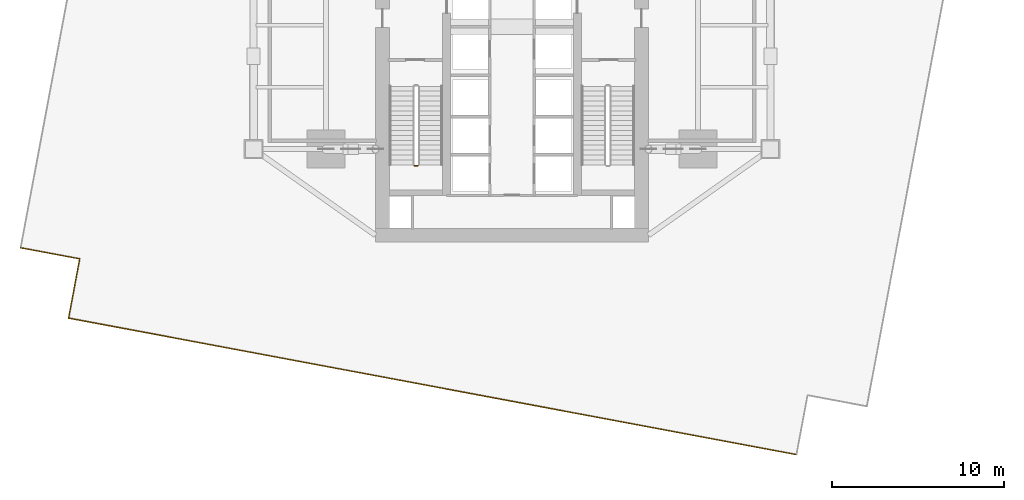
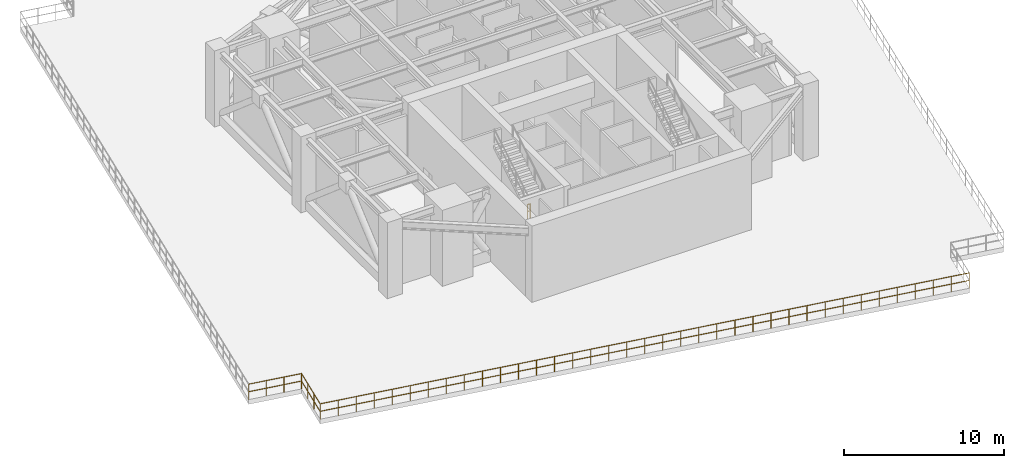
# One storey, part 7 of 10: 4 railings.
"""IFC4 building model written with IfcOpenShell, lengths in metres."""

from ifc_helpers import new_model, si_unit, direction, frame, origin, origin_2d, place, context, subcontext, project, spatial, circle, extrude, material, layer, layer_set, type_object, element, save


model = new_model("IFC4")

# Units and contexts
model_context = context("Model", 3, precision=1e-05, world=origin(), true_north=direction((0.0, 1.0)))
body_context = subcontext(model_context, "Body", "Model", "MODEL_VIEW")
ifc_project = project(units=[si_unit("LENGTHUNIT", "METRE"), si_unit("AREAUNIT", "SQUARE_METRE"), si_unit("VOLUMEUNIT", "CUBIC_METRE"), si_unit("PLANEANGLEUNIT", "RADIAN"), si_unit("MASSUNIT", "GRAM", prefix="KILO")], contexts=[model_context])

# Site, building, storey
site_placement = place(None, origin())
site = spatial("IfcSite", under=ifc_project, at=site_placement, CompositionType="ELEMENT")
building_placement = place(site_placement, origin())
building = spatial("IfcBuilding", under=site, at=building_placement, Name="Krantzveldt Concourse Tower", CompositionType="ELEMENT")
storey_placement = place(building_placement, frame((0.0, 0.0, 80.300048828125)))
storey = spatial("IfcBuildingStorey", under=building, at=storey_placement, Name="L19", CompositionType="ELEMENT", Elevation=80.300048828125)

# Railings
ifc_material = material(Name="Stainless steel 316L", Category="steel")
ifc_layer_1 = layer(ifc_material, 0.080078125, Name="Stainless steel 316L", Category="steel")
ifc_layer_set_1 = layer_set([ifc_layer_1], Name="Stainless steel 316L (RL-BALUSTRADE-1150)")
railing_type_1 = type_object("IfcRailingType", Name="RL-BALUSTRADE-1150", PredefinedType="BALUSTRADE", material=ifc_layer_set_1)
railing_1_placement = place(storey_placement, frame((7.46435546875, 10.17822265625, 0.0)))
element("IfcRailing", 1, at=railing_1_placement, inside=storey, type_object=railing_type_1, Name="GD-L19-WIND-03", PredefinedType="BALUSTRADE", context=body_context, shape_type="SweptSolid", body=[
    extrude(circle(Radius=0.02392578125, at=origin_2d()), frame((0.0, 0.0, 1.17578125), z_axis=(0.982847699951, -0.184419084428, 0.0), x_axis=(0.184419084428, 0.982847699951, 0.0)), (0.0, 0.0, 1.0), 3.500244140625),
    extrude(circle(Radius=0.02392578125, at=origin_2d()), frame((0.0, 0.0, 0.60009765625), z_axis=(0.982847699951, -0.184419084428, 0.0), x_axis=(0.184419084428, 0.982847699951, 0.0)), (0.0, 0.0, 1.0), 3.500244140625),
    extrude(circle(Radius=0.02099609375, at=origin_2d()), origin(), (0.0, 0.0, 1.0), 1.15185546875),
    extrude(circle(Radius=0.02099609375, at=origin_2d()), frame((1.146728515625, -0.215087890625, 0.0)), (0.0, 0.0, 1.0), 1.15185546875),
    extrude(circle(Radius=0.02099609375, at=origin_2d()), frame((2.29345703125, -0.430419921875, 0.0)), (0.0, 0.0, 1.0), 1.15185546875),
    extrude(circle(Radius=0.02099609375, at=origin_2d()), frame((3.440185546875, -0.6455078125, 0.0)), (0.0, 0.0, 1.0), 1.15185546875),
])
railing_2_placement = place(storey_placement, frame((10.904541015625, 9.53271484375, 0.0)))
element("IfcRailing", 2, at=railing_2_placement, inside=storey, type_object=railing_type_1, Name="GD-L19-WIND-04", PredefinedType="BALUSTRADE", context=body_context, shape_type="SweptSolid", body=[
    extrude(circle(Radius=0.02392578125, at=origin_2d()), frame((0.0, 0.0, 1.17578125), z_axis=(-0.184431727882, -0.982845327481, 0.0), x_axis=(0.982845327481, -0.184431727882, 0.0)), (0.0, 0.0, 1.0), 3.5),
    extrude(circle(Radius=0.02392578125, at=origin_2d()), frame((0.0, 0.0, 0.60009765625), z_axis=(-0.184431727882, -0.982845327481, 0.0), x_axis=(0.982845327481, -0.184431727882, 0.0)), (0.0, 0.0, 1.0), 3.5),
    extrude(circle(Radius=0.02099609375, at=origin_2d()), origin(), (0.0, 0.0, 1.0), 1.15185546875),
    extrude(circle(Radius=0.02099609375, at=origin_2d()), frame((-0.215087890625, -1.146728515625, 0.0)), (0.0, 0.0, 1.0), 1.15185546875),
    extrude(circle(Radius=0.02099609375, at=origin_2d()), frame((-0.430419921875, -2.293212890625, 0.0)), (0.0, 0.0, 1.0), 1.15185546875),
    extrude(circle(Radius=0.02099609375, at=origin_2d()), frame((-0.6455078125, -3.43994140625, 0.0)), (0.0, 0.0, 1.0), 1.15185546875),
])
railing_3_placement = place(storey_placement, frame((10.259033203125, 6.0927734375, 0.0)))
element("IfcRailing", 3, at=railing_3_placement, inside=storey, type_object=railing_type_1, Name="GD-L19-WIND-05", PredefinedType="BALUSTRADE", context=body_context, shape_type="SweptSolid", body=[
    extrude(circle(Radius=0.02392578125, at=origin_2d()), frame((0.0, 0.0, 1.17578125), z_axis=(0.982855664182, -0.184376634598, 0.0), x_axis=(0.184376634598, 0.982855664182, 0.0)), (0.0, 0.0, 1.0), 43.000244140625),
    extrude(circle(Radius=0.02392578125, at=origin_2d()), frame((0.0, 0.0, 0.60009765625), z_axis=(0.982855664182, -0.184376634598, 0.0), x_axis=(0.184376634598, 0.982855664182, 0.0)), (0.0, 0.0, 1.0), 43.000244140625),
    extrude(circle(Radius=0.02099609375, at=origin_2d()), origin(), (0.0, 0.0, 1.0), 1.15185546875),
    extrude(circle(Radius=0.02099609375, at=origin_2d()), frame((1.174072265625, -0.22021484375, 0.0)), (0.0, 0.0, 1.0), 1.15185546875),
    extrude(circle(Radius=0.02099609375, at=origin_2d()), frame((2.347900390625, -0.4404296875, 0.0)), (0.0, 0.0, 1.0), 1.15185546875),
    extrude(circle(Radius=0.02099609375, at=origin_2d()), frame((3.52197265625, -0.66064453125, 0.0)), (0.0, 0.0, 1.0), 1.15185546875),
    extrude(circle(Radius=0.02099609375, at=origin_2d()), frame((4.69580078125, -0.880859375, 0.0)), (0.0, 0.0, 1.0), 1.15185546875),
    extrude(circle(Radius=0.02099609375, at=origin_2d()), frame((5.869873046875, -1.10107421875, 0.0)), (0.0, 0.0, 1.0), 1.15185546875),
    extrude(circle(Radius=0.02099609375, at=origin_2d()), frame((7.0439453125, -1.3212890625, 0.0)), (0.0, 0.0, 1.0), 1.15185546875),
    extrude(circle(Radius=0.02099609375, at=origin_2d()), frame((8.2177734375, -1.54150390625, 0.0)), (0.0, 0.0, 1.0), 1.15185546875),
    extrude(circle(Radius=0.02099609375, at=origin_2d()), frame((9.391845703125, -1.76171875, 0.0)), (0.0, 0.0, 1.0), 1.15185546875),
    extrude(circle(Radius=0.02099609375, at=origin_2d()), frame((10.565673828125, -1.98193359375, 0.0)), (0.0, 0.0, 1.0), 1.15185546875),
    extrude(circle(Radius=0.02099609375, at=origin_2d()), frame((11.73974609375, -2.202392578125, 0.0)), (0.0, 0.0, 1.0), 1.15185546875),
    extrude(circle(Radius=0.02099609375, at=origin_2d()), frame((12.91357421875, -2.422607421875, 0.0)), (0.0, 0.0, 1.0), 1.15185546875),
    extrude(circle(Radius=0.02099609375, at=origin_2d()), frame((14.087646484375, -2.642822265625, 0.0)), (0.0, 0.0, 1.0), 1.15185546875),
    extrude(circle(Radius=0.02099609375, at=origin_2d()), frame((15.26171875, -2.863037109375, 0.0)), (0.0, 0.0, 1.0), 1.15185546875),
    extrude(circle(Radius=0.02099609375, at=origin_2d()), frame((16.435546875, -3.083251953125, 0.0)), (0.0, 0.0, 1.0), 1.15185546875),
    extrude(circle(Radius=0.02099609375, at=origin_2d()), frame((17.609619140625, -3.303466796875, 0.0)), (0.0, 0.0, 1.0), 1.15185546875),
    extrude(circle(Radius=0.02099609375, at=origin_2d()), frame((18.783447265625, -3.523681640625, 0.0)), (0.0, 0.0, 1.0), 1.15185546875),
    extrude(circle(Radius=0.02099609375, at=origin_2d()), frame((19.95751953125, -3.743896484375, 0.0)), (0.0, 0.0, 1.0), 1.15185546875),
    extrude(circle(Radius=0.02099609375, at=origin_2d()), frame((21.13134765625, -3.964111328125, 0.0)), (0.0, 0.0, 1.0), 1.15185546875),
    extrude(circle(Radius=0.02099609375, at=origin_2d()), frame((22.305419921875, -4.184326171875, 0.0)), (0.0, 0.0, 1.0), 1.15185546875),
    extrude(circle(Radius=0.02099609375, at=origin_2d()), frame((23.4794921875, -4.404541015625, 0.0)), (0.0, 0.0, 1.0), 1.15185546875),
    extrude(circle(Radius=0.02099609375, at=origin_2d()), frame((24.6533203125, -4.624755859375, 0.0)), (0.0, 0.0, 1.0), 1.15185546875),
    extrude(circle(Radius=0.02099609375, at=origin_2d()), frame((25.827392578125, -4.844970703125, 0.0)), (0.0, 0.0, 1.0), 1.15185546875),
    extrude(circle(Radius=0.02099609375, at=origin_2d()), frame((27.001220703125, -5.065185546875, 0.0)), (0.0, 0.0, 1.0), 1.15185546875),
    extrude(circle(Radius=0.02099609375, at=origin_2d()), frame((28.17529296875, -5.285400390625, 0.0)), (0.0, 0.0, 1.0), 1.15185546875),
    extrude(circle(Radius=0.02099609375, at=origin_2d()), frame((29.349365234375, -5.505615234375, 0.0)), (0.0, 0.0, 1.0), 1.15185546875),
    extrude(circle(Radius=0.02099609375, at=origin_2d()), frame((30.523193359375, -5.725830078125, 0.0)), (0.0, 0.0, 1.0), 1.15185546875),
    extrude(circle(Radius=0.02099609375, at=origin_2d()), frame((31.697265625, -5.9462890625, 0.0)), (0.0, 0.0, 1.0), 1.15185546875),
    extrude(circle(Radius=0.02099609375, at=origin_2d()), frame((32.87109375, -6.16650390625, 0.0)), (0.0, 0.0, 1.0), 1.15185546875),
    extrude(circle(Radius=0.02099609375, at=origin_2d()), frame((34.045166015625, -6.38671875, 0.0)), (0.0, 0.0, 1.0), 1.15185546875),
    extrude(circle(Radius=0.02099609375, at=origin_2d()), frame((35.21923828125, -6.60693359375, 0.0)), (0.0, 0.0, 1.0), 1.15185546875),
    extrude(circle(Radius=0.02099609375, at=origin_2d()), frame((36.39306640625, -6.8271484375, 0.0)), (0.0, 0.0, 1.0), 1.15185546875),
    extrude(circle(Radius=0.02099609375, at=origin_2d()), frame((37.567138671875, -7.04736328125, 0.0)), (0.0, 0.0, 1.0), 1.15185546875),
    extrude(circle(Radius=0.02099609375, at=origin_2d()), frame((38.740966796875, -7.267578125, 0.0)), (0.0, 0.0, 1.0), 1.15185546875),
    extrude(circle(Radius=0.02099609375, at=origin_2d()), frame((39.9150390625, -7.48779296875, 0.0)), (0.0, 0.0, 1.0), 1.15185546875),
    extrude(circle(Radius=0.02099609375, at=origin_2d()), frame((41.0888671875, -7.7080078125, 0.0)), (0.0, 0.0, 1.0), 1.15185546875),
    extrude(circle(Radius=0.02099609375, at=origin_2d()), frame((42.262939453125, -7.92822265625, 0.0)), (0.0, 0.0, 1.0), 1.15185546875),
])
ifc_layer_2 = layer(ifc_material, 0.06005859375, Name="Stainless steel 316L", Category="steel")
ifc_layer_set_2 = layer_set([ifc_layer_2], Name="Stainless steel 316L (RL-GUARD-1120)")
railing_type_2 = type_object("IfcRailingType", Name="RL-GUARD-1120", PredefinedType="GUARDRAIL", material=ifc_layer_set_2)
railing_4_placement = place(storey_placement, frame((30.330078125, 14.93994140625, 2.89990234375)))
element("IfcRailing", 4, at=railing_4_placement, inside=storey, type_object=railing_type_2, Name="L19 ST-1 stair guard 2", PredefinedType="GUARDRAIL", context=body_context, shape_type="SweptSolid", body=[
    extrude(circle(Radius=0.02392578125, at=origin_2d()), frame((0.0, 0.0, 1.076171875), z_axis=(1.0, 0.0, 0.0), x_axis=(0.0, 1.0, 0.0)), (0.0, 0.0, 1.0), 0.199951171875),
    extrude(circle(Radius=0.02392578125, at=origin_2d()), frame((0.0, 0.0, 0.550048828125), z_axis=(1.0, 0.0, 0.0), x_axis=(0.0, 1.0, 0.0)), (0.0, 0.0, 1.0), 0.199951171875),
    extrude(circle(Radius=0.02099609375, at=origin_2d()), origin(), (0.0, 0.0, 1.0), 1.052001953125),
    extrude(circle(Radius=0.02099609375, at=origin_2d()), frame((0.199951171875, 0.0, 0.0)), (0.0, 0.0, 1.0), 1.052001953125),
])

save(model, "model.ifc")
